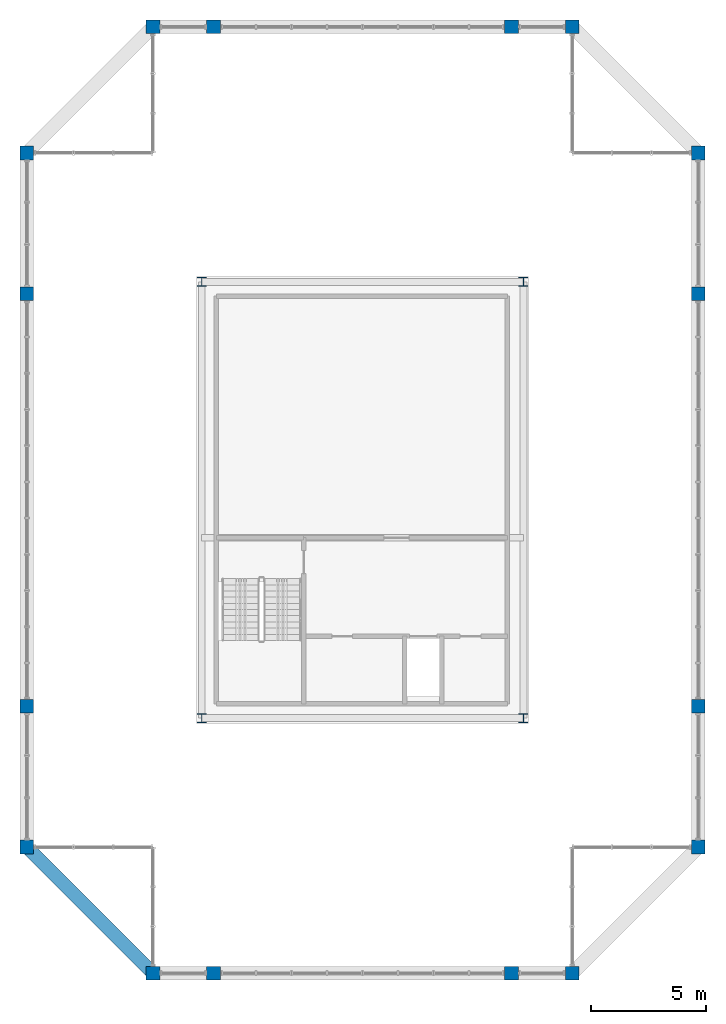
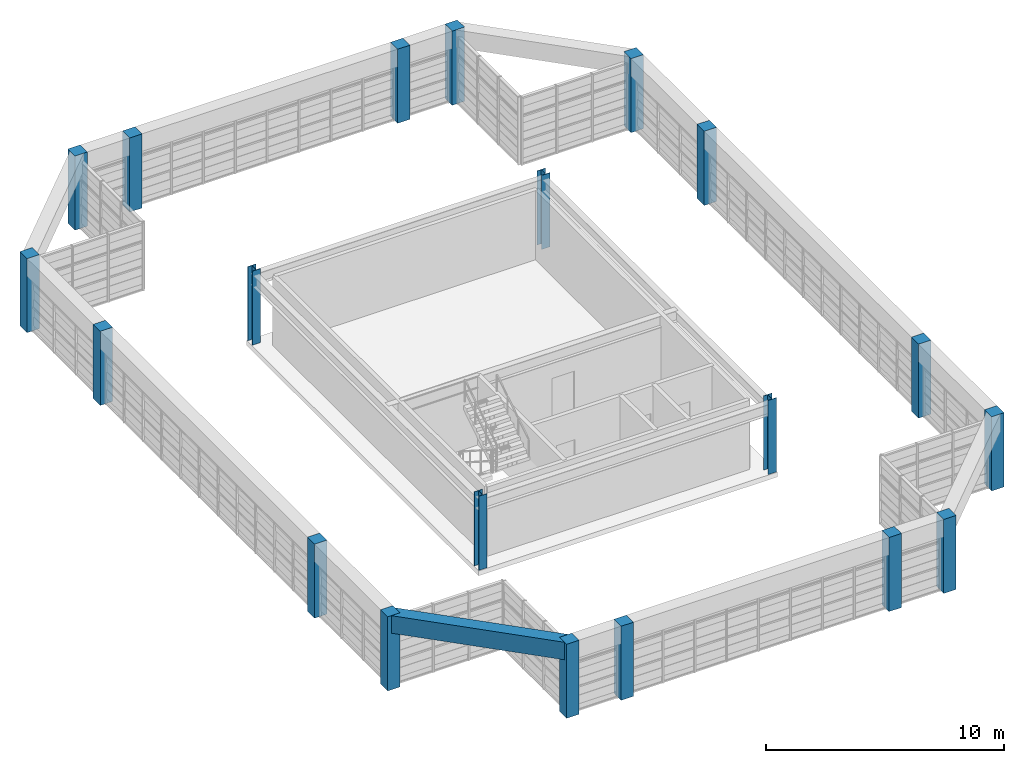
# One storey, part 1 of 27: 20 columns, 1 beam.
"""IFC4 building model written with IfcOpenShell, lengths in metres."""

from ifc_helpers import new_model, si_unit, direction, frame, origin, origin_2d, place, context, subcontext, project, spatial, rectangle, i_section, extrude, source, transform, mapped, material, material_profile, profile_set, type_object, element, save


model = new_model("IFC4")

# Units and contexts
model_context = context("Model", 3, precision=1e-05, world=origin(), true_north=direction((0.0, 1.0)))
body_context = subcontext(model_context, "Body", "Model", "MODEL_VIEW")
ifc_project = project(units=[si_unit("LENGTHUNIT", "METRE"), si_unit("AREAUNIT", "SQUARE_METRE"), si_unit("VOLUMEUNIT", "CUBIC_METRE"), si_unit("PLANEANGLEUNIT", "RADIAN"), si_unit("MASSUNIT", "GRAM", prefix="KILO")], contexts=[model_context])

# Site, building, storey
site_placement = place(None, origin())
site = spatial("IfcSite", under=ifc_project, at=site_placement, CompositionType="ELEMENT")
building_placement = place(site_placement, origin())
building = spatial("IfcBuilding", under=site, at=building_placement, Name="Saelheon Loggia Tower", CompositionType="ELEMENT")
storey_placement = place(building_placement, frame((0.0, 0.0, 263.60009765625)))
storey = spatial("IfcBuildingStorey", under=building, at=storey_placement, Name="CR4", CompositionType="ELEMENT", Elevation=263.60009765625)

# Columns
ifc_material_1 = material(Name="Precast Concrete C45/55", Category="concrete")
ifc_material_profile_1 = material_profile(ifc_material_1, rectangle(XDim=0.60009765625, YDim=0.60009765625, at=origin_2d()), Name="RC-600x600")
ifc_profile_set_1 = profile_set([ifc_material_profile_1], Name="Precast Concrete C45/55")
column_type_1 = type_object("IfcColumnType", Name="CrownFrame_Col_RC600", PredefinedType="COLUMN", material=ifc_profile_set_1)
shared_shape_1 = source(origin(), body_context, "Body", "SweptSolid", [
    extrude(rectangle(XDim=0.60009765625, YDim=0.60009765625, at=origin_2d()), origin(), (0.0, 0.0, 1.0), 3.7998046875),
])
for number, where, z_axis, x_axis, name in (
    (1, (28.85009765625, 6.35009765625, 0.0), (0.0, 0.0, 1.0), (1.0, 0.0, 0.0), "CR4 CROWN FRAME Column TP-S1"),
    (2, (31.5, 6.35009765625, 0.0), (0.0, 0.0, 1.0), (1.0, 0.0, 0.0), "CR4 CROWN FRAME Column TP-SA"),
    (3, (44.5, 6.35009765625, 0.0), (0.0, 0.0, 1.0), (1.0, 0.0, 0.0), "CR4 CROWN FRAME Column TP-SB"),
    (4, (47.14990234375, 6.35009765625, 0.0), (0.0, 0.0, 1.0), (1.0, 0.0, 0.0), "CR4 CROWN FRAME Column TP-S2"),
    (5, (52.64990234375, 11.85009765625, 0.0), (0.0, 0.0, 1.0), (1.0, 0.0, 0.0), "CR4 CROWN FRAME Column TP-E1"),
    (6, (52.64990234375, 18.0, 0.0), (0.0, 0.0, 1.0), (1.0, 0.0, 0.0), "CR4 CROWN FRAME Column TP-EA"),
    (7, (52.64990234375, 36.0, 0.0), (0.0, 0.0, 1.0), (1.0, 0.0, 0.0), "CR4 CROWN FRAME Column TP-EB"),
    (8, (52.64990234375, 42.14990234375, 0.0), (0.0, 0.0, 1.0), (1.0, 0.0, 0.0), "CR4 CROWN FRAME Column TP-E2"),
    (9, (47.14990234375, 47.64990234375, 0.0), (0.0, 0.0, 1.0), (1.0, 0.0, 0.0), "CR4 CROWN FRAME Column TP-N2"),
    (10, (44.5, 47.64990234375, 0.0), (0.0, 0.0, 1.0), (1.0, 0.0, 0.0), "CR4 CROWN FRAME Column TP-NB"),
    (11, (31.5, 47.64990234375, 0.0), (0.0, 0.0, 1.0), (1.0, 0.0, 0.0), "CR4 CROWN FRAME Column TP-NA"),
    (12, (28.85009765625, 47.64990234375, 0.0), (0.0, 0.0, 1.0), (1.0, 0.0, 0.0), "CR4 CROWN FRAME Column TP-N1"),
    (13, (23.35009765625, 42.14990234375, 0.0), (0.0, 0.0, 1.0), (1.0, 0.0, 0.0), "CR4 CROWN FRAME Column TP-W2"),
    (14, (23.35009765625, 36.0, 0.0), (0.0, 0.0, 1.0), (1.0, 0.0, 0.0), "CR4 CROWN FRAME Column TP-WB"),
    (15, (23.35009765625, 18.0, 0.0), (0.0, 0.0, 1.0), (1.0, 0.0, 0.0), "CR4 CROWN FRAME Column TP-WA"),
    (16, (23.35009765625, 11.85009765625, 0.0), (0.0, 0.0, 1.0), (1.0, 0.0, 0.0), "CR4 CROWN FRAME Column TP-W1"),
):
    element("IfcColumn", number, at=place(storey_placement, frame(where, z_axis=z_axis, x_axis=x_axis)), inside=storey, type_object=column_type_1, Name=name, PredefinedType="COLUMN", context=body_context, shape_type="MappedRepresentation", body=[
        mapped(shared_shape_1, transform((0.0, 0.0, 0.0), scale=1.0)),
    ])
ifc_material_2 = material(Name="Steel SM355", Category="steel")
ifc_material_profile_2 = material_profile(ifc_material_2, i_section(OverallWidth=0.39990234375, OverallDepth=0.39990234375, WebThickness=0.012939453125, FlangeThickness=0.02099609375, at=origin_2d()), Name="H-400x400x13x21")
ifc_profile_set_2 = profile_set([ifc_material_profile_2], Name="Steel SM355")
column_type_2 = type_object("IfcColumnType", Name="Col_Steel_H400", PredefinedType="COLUMN", material=ifc_profile_set_2)
shared_shape_2 = source(origin(), body_context, "Body", "SweptSolid", [
    extrude(i_section(OverallWidth=0.39990234375, OverallDepth=0.39990234375, WebThickness=0.012939453125, FlangeThickness=0.02099609375, at=origin_2d()), origin(), (0.0, 0.0, 1.0), 3.7998046875),
])
for number, where, z_axis, x_axis, name in (
    (17, (30.97998046875, 17.47998046875, 0.0), (0.0, 0.0, 1.0), (1.0, 0.0, 0.0), "CR4 Crown Plant Frame Column CR-SW"),
    (18, (45.02001953125, 17.47998046875, 0.0), (0.0, 0.0, 1.0), (1.0, 0.0, 0.0), "CR4 Crown Plant Frame Column CR-SE"),
    (19, (30.97998046875, 36.52001953125, 0.0), (0.0, 0.0, 1.0), (1.0, 0.0, 0.0), "CR4 Crown Plant Frame Column CR-NW"),
    (20, (45.02001953125, 36.52001953125, 0.0), (0.0, 0.0, 1.0), (1.0, 0.0, 0.0), "CR4 Crown Plant Frame Column CR-NE"),
):
    element("IfcColumn", number, at=place(storey_placement, frame(where, z_axis=z_axis, x_axis=x_axis)), inside=storey, type_object=column_type_2, Name=name, PredefinedType="COLUMN", context=body_context, shape_type="MappedRepresentation", body=[
        mapped(shared_shape_2, transform((0.0, 0.0, 0.0), scale=1.0)),
    ])

# Beam
ifc_material_profile_3 = material_profile(ifc_material_1, rectangle(XDim=0.60009765625, YDim=0.89990234375, at=origin_2d()), Name="RC-600x900")
ifc_profile_set_3 = profile_set([ifc_material_profile_3], Name="Precast Concrete C45/55")
beam_type = type_object("IfcBeamType", Name="CrownFrame_Ring_RC600x900", PredefinedType="BEAM", material=ifc_profile_set_3)
shared_shape_3 = source(origin(), body_context, "Body", "SweptSolid", [
    extrude(rectangle(XDim=0.60009765625, YDim=0.89990234375, at=origin_2d()), origin(), (0.0, 0.0, 1.0), 7.778076171875),
])
beam_placement = place(storey_placement, frame((23.35009765625, 11.85009765625, 3.349853515625), z_axis=(0.707106781187, -0.707106781187, 0.0), x_axis=(0.707106781187, 0.707106781187, 0.0)))
element("IfcBeam", 21, at=beam_placement, inside=storey, type_object=beam_type, Name="CR4 CROWN FRAME Ring Beam 16", PredefinedType="BEAM", context=body_context, shape_type="MappedRepresentation", body=[
    mapped(shared_shape_3, transform((0.0, 0.0, 0.0), scale=1.0)),
])

save(model, "model.ifc")
